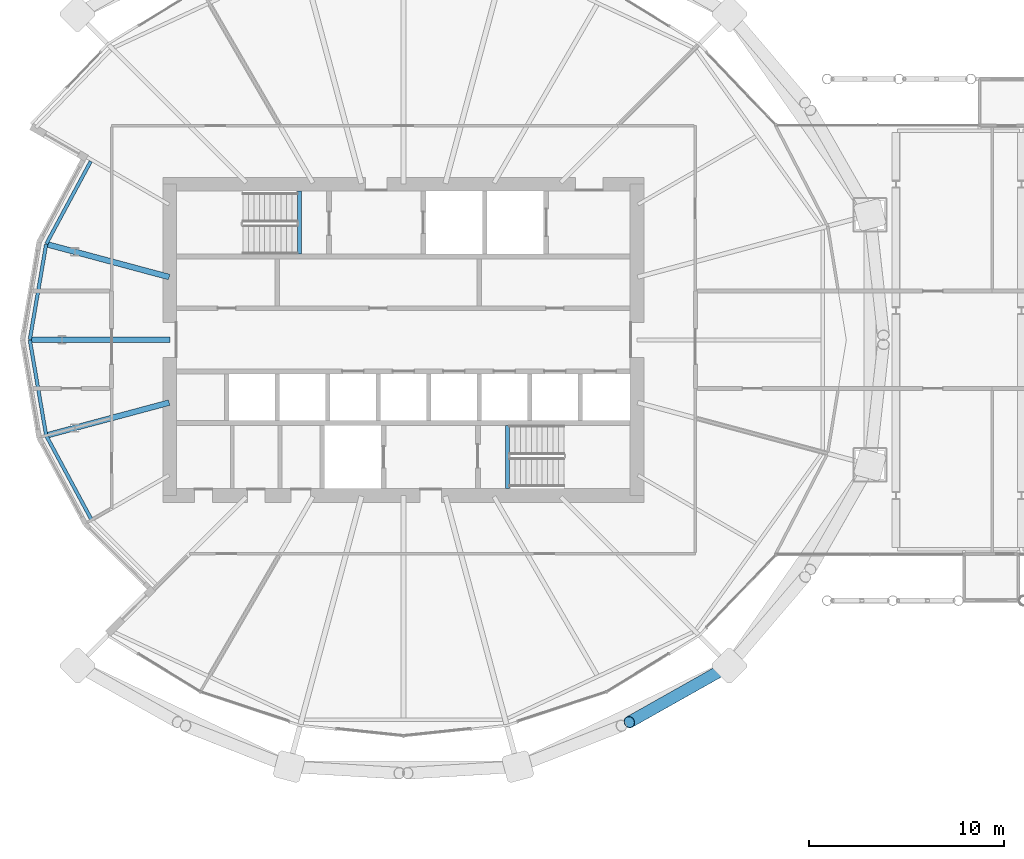
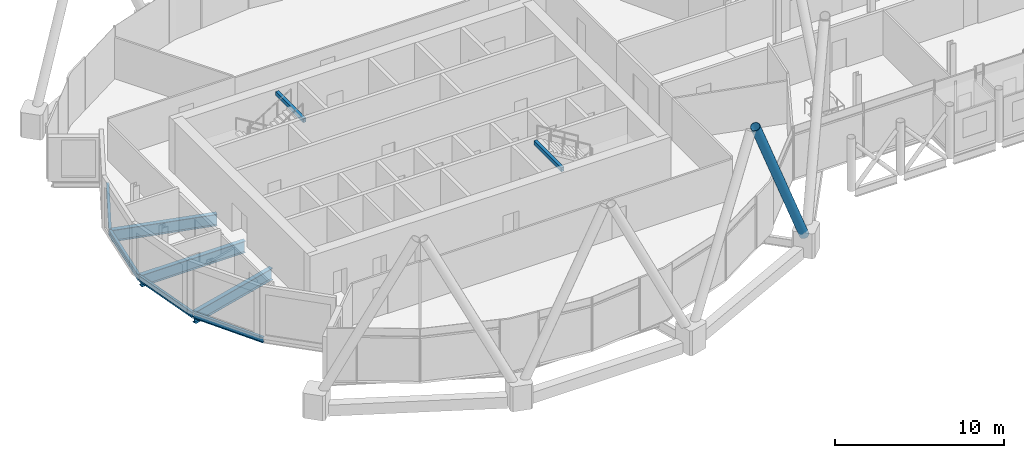
# One storey, part 5 of 35: 9 beams, 1 member.
"""IFC4 building model written with IfcOpenShell, lengths in metres."""

from ifc_helpers import new_model, si_unit, direction, frame, origin, origin_2d, place, context, subcontext, project, spatial, hollow_rectangle, hollow_circle, i_section, extrude, material, material_profile, profile_set, type_object, element, save


model = new_model("IFC4")

# Units and contexts
model_context = context("Model", 3, precision=1e-05, world=origin(), true_north=direction((0.0, 1.0)))
body_context = subcontext(model_context, "Body", "Model", "MODEL_VIEW")
ifc_project = project(units=[si_unit("LENGTHUNIT", "METRE"), si_unit("AREAUNIT", "SQUARE_METRE"), si_unit("VOLUMEUNIT", "CUBIC_METRE"), si_unit("PLANEANGLEUNIT", "RADIAN"), si_unit("MASSUNIT", "GRAM", prefix="KILO")], contexts=[model_context])

# Site, building, storey
site_placement = place(None, origin())
site = spatial("IfcSite", under=ifc_project, at=site_placement, CompositionType="ELEMENT")
building_placement = place(site_placement, origin())
building = spatial("IfcBuilding", under=site, at=building_placement, Name="Rimbun Link Towers", CompositionType="ELEMENT")
storey_placement = place(building_placement, frame((0.0, 0.0, 146.800048828125)))
storey = spatial("IfcBuildingStorey", under=building, at=storey_placement, Name="L35", CompositionType="ELEMENT", Elevation=146.800048828125)

# Member
ifc_material_1 = material(Name="Steel S355J2H", Category="steel")
ifc_material_profile_1 = material_profile(ifc_material_1, hollow_circle(Radius=0.3046875, WallThickness=0.02490234375, at=origin_2d()), Name="Diagrid diagonal CHS 610x25")
ifc_profile_set_1 = profile_set([ifc_material_profile_1], Name="Steel S355J2H")
member_type = type_object("IfcMemberType", Name="Diagrid diagonal CHS 610x25", PredefinedType="BRACE", material=ifc_profile_set_1)
member_placement = place(storey_placement, frame((-15.20166015625, -16.856201171875, 0.446044921875), z_axis=(-0.393704990847, -0.221831902449, 0.892068936371), x_axis=(0.490887866412, -0.871222762909, 0.0)))
element("IfcMember", 1, at=member_placement, inside=storey, type_object=member_type, Name="Diagrid diagonal T1 L35-L38 21a", PredefinedType="BRACE", context=body_context, shape_type="SweptSolid", body=[
    extrude(hollow_circle(Radius=0.3046875, WallThickness=0.02490234375, at=origin_2d()), origin(), (0.0, 0.0, 1.0), 12.56396484375),
])

# Beams
ifc_material_2 = material(Name="Steel S355J2", Category="steel")
ifc_material_profile_2 = material_profile(ifc_material_2, hollow_rectangle(XDim=0.199951171875, YDim=0.300048828125, WallThickness=0.011962890625, at=origin_2d()), Name="BOX 300x200x12")
ifc_profile_set_2 = profile_set([ifc_material_profile_2], Name="Steel S355J2")
beam_type_1 = type_object("IfcBeamType", Name="Stair trimmer beam BOX 300x200x12", PredefinedType="BEAM", material=ifc_profile_set_2)
for number, where, z_axis, x_axis, name in (
    (2, (-37.10009765625, 7.64990234375, 3.469970703125), (0.0, -1.0, 0.0), (1.0, 0.0, 0.0), "L35 ST1 stair beam 1"),
    (3, (-26.39990234375, -7.64990234375, 3.469970703125), (0.0, 1.0, 0.0), (-1.0, 0.0, 0.0), "L35 ST2 stair beam 1"),
):
    element("IfcBeam", number, at=place(storey_placement, frame(where, z_axis=z_axis, x_axis=x_axis)), inside=storey, type_object=beam_type_1, Name=name, PredefinedType="BEAM", context=body_context, shape_type="SweptSolid", body=[
        extrude(hollow_rectangle(XDim=0.199951171875, YDim=0.300048828125, WallThickness=0.011962890625, at=origin_2d()), origin(), (0.0, 0.0, 1.0), 3.25),
    ])
ifc_material_3 = material(Name="Steel S355J2", Category="steel")
ifc_material_profile_3 = material_profile(ifc_material_3, i_section(OverallWidth=0.177978515625, OverallDepth=0.406494140625, WebThickness=0.0078125, FlangeThickness=0.0126953125, at=origin_2d()), Name="UB 406x178x60")
ifc_profile_set_3 = profile_set([ifc_material_profile_3], Name="Steel S355J2")
beam_type_2 = type_object("IfcBeamType", Name="UB 406x178x60", PredefinedType="BEAM", material=ifc_profile_set_3)
beam_1_placement = place(storey_placement, frame((-47.81884765625, 9.17041015625, -0.38330078125), z_axis=(-0.474036297712, -0.880505302909, 0.0), x_axis=(0.880505302909, -0.474036297712, 0.0)))
element("IfcBeam", 4, at=beam_1_placement, inside=storey, type_object=beam_type_2, Name="Edge beam T1 L35 10 recess", PredefinedType="BEAM", context=body_context, shape_type="SweptSolid", body=[
    extrude(i_section(OverallWidth=0.177978515625, OverallDepth=0.406494140625, WebThickness=0.0078125, FlangeThickness=0.0126953125, at=origin_2d()), origin(), (0.0, 0.0, 1.0), 4.81298828125),
])
for number, where, z_axis, x_axis, name in (
    (5, (-50.1103515625, 4.903564453125, -0.38330078125), (-0.168780690541, -0.985653630085, 0.0), (0.985653630085, -0.168780690541, 0.0), "Edge beam T1 L35 11 recess"),
    (6, (-50.947265625, -0.01611328125, -0.38330078125), (0.168780690541, -0.985653630085, 0.0), (0.985653630085, 0.168780690541, 0.0), "Edge beam T1 L35 12 recess"),
):
    element("IfcBeam", number, at=place(storey_placement, frame(where, z_axis=z_axis, x_axis=x_axis)), inside=storey, type_object=beam_type_2, Name=name, PredefinedType="BEAM", context=body_context, shape_type="SweptSolid", body=[
        extrude(i_section(OverallWidth=0.177978515625, OverallDepth=0.406494140625, WebThickness=0.0078125, FlangeThickness=0.0126953125, at=origin_2d()), origin(), (0.0, 0.0, 1.0), 4.95849609375),
    ])
beam_2_placement = place(storey_placement, frame((-50.100341796875, -4.9326171875, -0.38330078125), z_axis=(0.474061129578, -0.880491933764, 0.0), x_axis=(0.880491933764, 0.474061129578, 0.0)))
element("IfcBeam", 7, at=beam_2_placement, inside=storey, type_object=beam_type_2, Name="Edge beam T1 L35 13 recess", PredefinedType="BEAM", context=body_context, shape_type="SweptSolid", body=[
    extrude(i_section(OverallWidth=0.177978515625, OverallDepth=0.406494140625, WebThickness=0.0078125, FlangeThickness=0.0126953125, at=origin_2d()), origin(), (0.0, 0.0, 1.0), 4.891357421875),
])
ifc_material_4 = material(Name="Steel S355J2", Category="steel")
ifc_material_profile_4 = material_profile(ifc_material_4, i_section(OverallWidth=0.29248046875, OverallDepth=0.8408203125, WebThickness=0.0126953125, FlangeThickness=0.021728515625, at=origin_2d()), Name="UB 838x292x194")
ifc_profile_set_4 = profile_set([ifc_material_profile_4], Name="Steel S355J2")
beam_type_3 = type_object("IfcBeamType", Name="UB 838x292x194", PredefinedType="BEAM", material=ifc_profile_set_4)
beam_3_placement = place(storey_placement, frame((-43.788818359375, 3.225830078125, -0.600341796875), z_axis=(-0.96592964011, 0.258804811311, 0.0), x_axis=(-0.258804811311, -0.96592964011, 0.0)))
element("IfcBeam", 8, at=beam_3_placement, inside=storey, type_object=beam_type_3, Name="Radial beam T1 L35 11", PredefinedType="BEAM", context=body_context, shape_type="SweptSolid", body=[
    extrude(i_section(OverallWidth=0.29248046875, OverallDepth=0.8408203125, WebThickness=0.0126953125, FlangeThickness=0.021728515625, at=origin_2d()), origin(), (0.0, 0.0, 1.0), 6.451416015625),
])
beam_4_placement = place(storey_placement, frame((-43.7509765625, 0.0, -0.600341796875), z_axis=(-1.0, 0.0, 0.0), x_axis=(0.0, -1.0, 0.0)))
element("IfcBeam", 9, at=beam_4_placement, inside=storey, type_object=beam_type_3, Name="Radial beam T1 L35 12", PredefinedType="BEAM", context=body_context, shape_type="SweptSolid", body=[
    extrude(i_section(OverallWidth=0.29248046875, OverallDepth=0.8408203125, WebThickness=0.0126953125, FlangeThickness=0.021728515625, at=origin_2d()), origin(), (0.0, 0.0, 1.0), 7.109130859375),
])
beam_5_placement = place(storey_placement, frame((-43.788818359375, -3.225830078125, -0.600341796875), z_axis=(-0.96592964011, -0.258804811311, 0.0), x_axis=(0.258804811311, -0.96592964011, 0.0)))
element("IfcBeam", 10, at=beam_5_placement, inside=storey, type_object=beam_type_3, Name="Radial beam T1 L35 13", PredefinedType="BEAM", context=body_context, shape_type="SweptSolid", body=[
    extrude(i_section(OverallWidth=0.29248046875, OverallDepth=0.8408203125, WebThickness=0.0126953125, FlangeThickness=0.021728515625, at=origin_2d()), origin(), (0.0, 0.0, 1.0), 6.451416015625),
])

save(model, "model.ifc")
